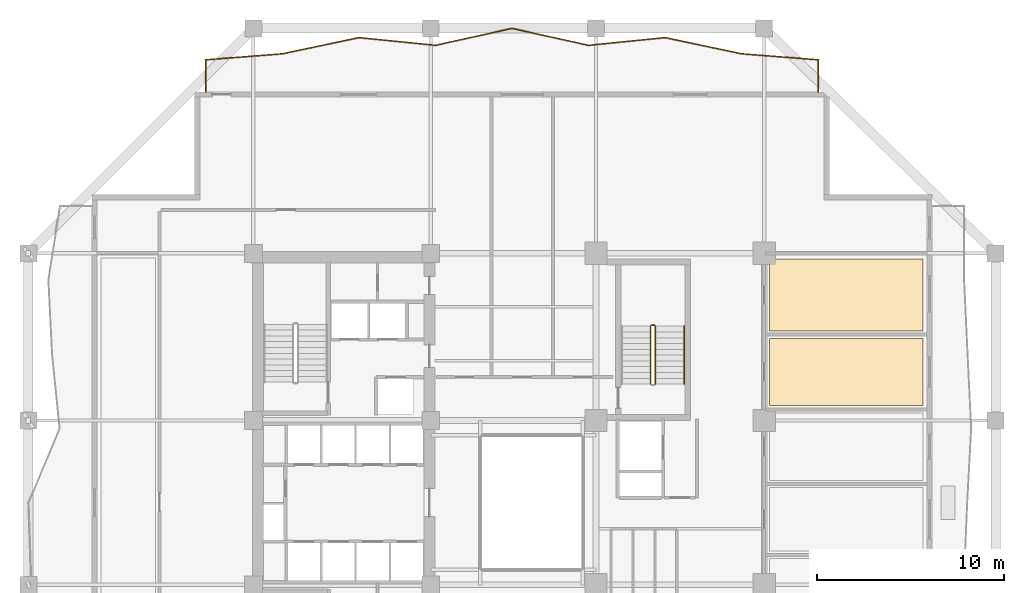
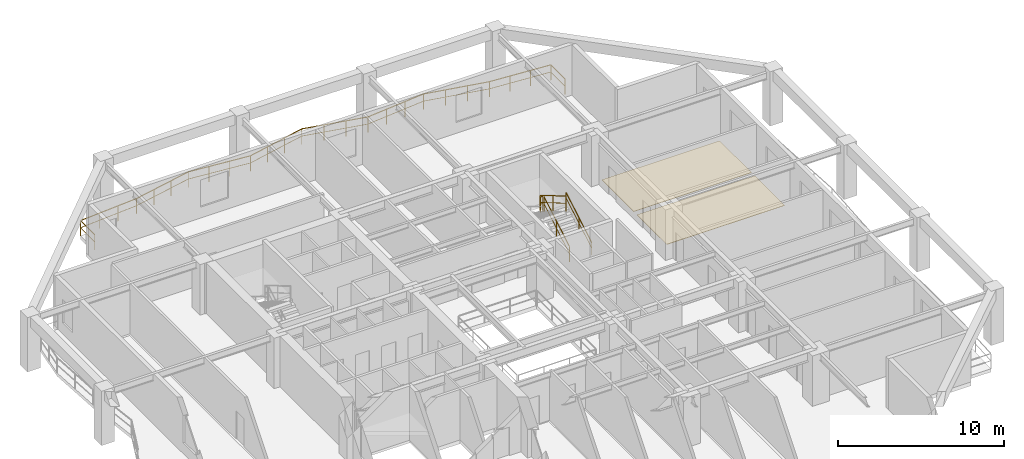
# One storey, part 12 of 13: 5 railings, 2 coverings.
"""IFC4 building model written with IfcOpenShell, lengths in metres."""

from ifc_helpers import new_model, si_unit, direction, frame, origin, origin_2d, place, context, subcontext, project, spatial, polyline, rectangle, outline, extrude, material, layer, layer_set, type_object, element, save


model = new_model("IFC4")

# Units and contexts
model_context = context("Model", 3, precision=1e-05, world=origin(), true_north=direction((0.0, 1.0)))
body_context = subcontext(model_context, "Body", "Model", "MODEL_VIEW")
ifc_project = project(units=[si_unit("LENGTHUNIT", "METRE"), si_unit("AREAUNIT", "SQUARE_METRE"), si_unit("VOLUMEUNIT", "CUBIC_METRE"), si_unit("PLANEANGLEUNIT", "RADIAN"), si_unit("MASSUNIT", "GRAM", prefix="KILO")], contexts=[model_context])

# Site, building, storey
site_placement = place(None, origin())
site = spatial("IfcSite", under=ifc_project, at=site_placement, CompositionType="ELEMENT")
building_placement = place(site_placement, origin())
building = spatial("IfcBuilding", under=site, at=building_placement, Name="Kundavana Baori Tower", CompositionType="ELEMENT")
storey_placement = place(building_placement, frame((0.0, 0.0, 70.0)))
storey = spatial("IfcBuildingStorey", under=building, at=storey_placement, Name="L16", CompositionType="ELEMENT", Elevation=70.0)

# Coverings
ifc_material_1 = material(Name="Honed Kota Stone and Terrazzo Flooring", Category="masonry")
ifc_layer = layer(ifc_material_1, 0.030029296875, Name="COV-INT-FLR")
ifc_layer_set = layer_set([ifc_layer], Name="Honed Kota Stone and Terrazzo Flooring")
covering_type = type_object("IfcCoveringType", Name="COV-INT-FLR", PredefinedType="FLOORING", material=ifc_layer_set)
covering_1_placement = place(storey_placement, origin())
element("IfcCovering", 1, at=covering_1_placement, inside=storey, type_object=covering_type, Name="L16 Room Finished Stone Flooring 12", PredefinedType="FLOORING", context=body_context, shape_type="SweptSolid", body=[
    extrude(outline(polyline([(43.10009765625, 33.800048828125), (51.320068359375, 33.800048828125), (51.320068359375, 37.39990234375), (43.10009765625, 37.39990234375), (43.10009765625, 33.800048828125)])), origin(), (0.0, 0.0, 1.0), 0.030029296875),
])
covering_2_placement = place(storey_placement, origin())
element("IfcCovering", 2, at=covering_2_placement, inside=storey, type_object=covering_type, Name="L16 Room Finished Stone Flooring 13", PredefinedType="FLOORING", context=body_context, shape_type="SweptSolid", body=[
    extrude(outline(polyline([(43.10009765625, 37.800048828125), (51.320068359375, 37.800048828125), (51.320068359375, 41.64990234375), (43.10009765625, 41.64990234375), (43.10009765625, 37.800048828125)])), origin(), (0.0, 0.0, 1.0), 0.030029296875),
])

# Railings
ifc_material_2 = material(Name="Architectural Patinated Bronze Metalwork")
railing_type_1 = type_object("IfcRailingType", Name="RL-BAL-1150", PredefinedType="BALUSTRADE", material=ifc_material_2)
railing_1_placement = place(storey_placement, frame((12.89990234375, 50.60009765625, 0.0)))
element("IfcRailing", 3, at=railing_1_placement, inside=storey, type_object=railing_type_1, Name="L16 Loggia Balcony Balustrade N", PredefinedType="BALUSTRADE", context=body_context, shape_type="SweptSolid", body=[
    extrude(rectangle(XDim=0.048095703125, YDim=0.048095703125, at=origin_2d()), frame((0.0, 0.0, 1.1259765625), z_axis=(0.0, 1.0, 0.0), x_axis=(-1.0, 0.0, 0.0)), (0.0, 0.0, 1.0), 1.719970703125),
    extrude(rectangle(XDim=0.03125, YDim=0.03125, at=origin_2d()), frame((0.0, 0.0, 0.597900390625), z_axis=(0.0, 1.0, 0.0), x_axis=(-1.0, 0.0, 0.0)), (0.0, 0.0, 1.0), 1.719970703125),
    extrude(rectangle(XDim=0.048095703125, YDim=0.048095703125, at=origin_2d()), frame((0.0, 1.719970703125, 1.1259765625), z_axis=(0.996948441127, 0.078062831969, 0.0), x_axis=(-0.078062831969, 0.996948441127, 0.0)), (0.0, 0.0, 1.0), 4.112548828125),
    extrude(rectangle(XDim=0.03125, YDim=0.03125, at=origin_2d()), frame((0.0, 1.719970703125, 0.597900390625), z_axis=(0.996948441127, 0.078062831969, 0.0), x_axis=(-0.078062831969, 0.996948441127, 0.0)), (0.0, 0.0, 1.0), 4.112548828125),
    extrude(rectangle(XDim=0.048095703125, YDim=0.048095703125, at=origin_2d()), frame((4.10009765625, 2.041015625, 1.1259765625), z_axis=(0.978368300168, 0.206870658205, 0.0), x_axis=(-0.206870658205, 0.978368300168, 0.0)), (0.0, 0.0, 1.0), 4.190673828125),
    extrude(rectangle(XDim=0.03125, YDim=0.03125, at=origin_2d()), frame((4.10009765625, 2.041015625, 0.597900390625), z_axis=(0.978368300168, 0.206870658205, 0.0), x_axis=(-0.206870658205, 0.978368300168, 0.0)), (0.0, 0.0, 1.0), 4.190673828125),
    extrude(rectangle(XDim=0.048095703125, YDim=0.048095703125, at=origin_2d()), frame((8.2001953125, 2.907958984375, 1.1259765625), z_axis=(0.994986022152, -0.100014077615, 0.0), x_axis=(0.100014077615, 0.994986022152, 0.0)), (0.0, 0.0, 1.0), 4.12060546875),
    extrude(rectangle(XDim=0.03125, YDim=0.03125, at=origin_2d()), frame((8.2001953125, 2.907958984375, 0.597900390625), z_axis=(0.994986022152, -0.100014077615, 0.0), x_axis=(0.100014077615, 0.994986022152, 0.0)), (0.0, 0.0, 1.0), 4.12060546875),
    extrude(rectangle(XDim=0.048095703125, YDim=0.048095703125, at=origin_2d()), frame((12.300048828125, 2.495849609375, 1.1259765625), z_axis=(0.976542836626, 0.215323218056, 0.0), x_axis=(-0.215323218056, 0.976542836626, 0.0)), (0.0, 0.0, 1.0), 4.198486328125),
    extrude(rectangle(XDim=0.03125, YDim=0.03125, at=origin_2d()), frame((12.300048828125, 2.495849609375, 0.597900390625), z_axis=(0.976542836626, 0.215323218056, 0.0), x_axis=(-0.215323218056, 0.976542836626, 0.0)), (0.0, 0.0, 1.0), 4.198486328125),
    extrude(rectangle(XDim=0.048095703125, YDim=0.048095703125, at=origin_2d()), frame((16.400146484375, 3.39990234375, 1.1259765625), z_axis=(0.976540140403, -0.215335445716, 0.0), x_axis=(0.215335445716, 0.976540140403, 0.0)), (0.0, 0.0, 1.0), 4.1982421875),
    extrude(rectangle(XDim=0.03125, YDim=0.03125, at=origin_2d()), frame((16.400146484375, 3.39990234375, 0.597900390625), z_axis=(0.976540140403, -0.215335445716, 0.0), x_axis=(0.215335445716, 0.976540140403, 0.0)), (0.0, 0.0, 1.0), 4.1982421875),
    extrude(rectangle(XDim=0.048095703125, YDim=0.048095703125, at=origin_2d()), frame((20.5, 2.495849609375, 1.1259765625), z_axis=(0.994986614767, 0.100008181834, 0.0), x_axis=(-0.100008181834, 0.994986614767, 0.0)), (0.0, 0.0, 1.0), 4.120849609375),
    extrude(rectangle(XDim=0.03125, YDim=0.03125, at=origin_2d()), frame((20.5, 2.495849609375, 0.597900390625), z_axis=(0.994986614767, 0.100008181834, 0.0), x_axis=(-0.100008181834, 0.994986614767, 0.0)), (0.0, 0.0, 1.0), 4.120849609375),
    extrude(rectangle(XDim=0.048095703125, YDim=0.048095703125, at=origin_2d()), frame((24.60009765625, 2.907958984375, 1.1259765625), z_axis=(0.978368300168, -0.206870658205, 0.0), x_axis=(0.206870658205, 0.978368300168, 0.0)), (0.0, 0.0, 1.0), 4.190673828125),
    extrude(rectangle(XDim=0.03125, YDim=0.03125, at=origin_2d()), frame((24.60009765625, 2.907958984375, 0.597900390625), z_axis=(0.978368300168, -0.206870658205, 0.0), x_axis=(0.206870658205, 0.978368300168, 0.0)), (0.0, 0.0, 1.0), 4.190673828125),
    extrude(rectangle(XDim=0.048095703125, YDim=0.048095703125, at=origin_2d()), frame((28.7001953125, 2.041015625, 1.1259765625), z_axis=(0.996948079346, -0.078067452173, 0.0), x_axis=(0.078067452173, 0.996948079346, 0.0)), (0.0, 0.0, 1.0), 4.1123046875),
    extrude(rectangle(XDim=0.03125, YDim=0.03125, at=origin_2d()), frame((28.7001953125, 2.041015625, 0.597900390625), z_axis=(0.996948079346, -0.078067452173, 0.0), x_axis=(0.078067452173, 0.996948079346, 0.0)), (0.0, 0.0, 1.0), 4.1123046875),
    extrude(rectangle(XDim=0.048095703125, YDim=0.048095703125, at=origin_2d()), frame((32.800048828125, 1.719970703125, 1.1259765625), z_axis=(0.0, -1.0, 0.0), x_axis=(1.0, 0.0, 0.0)), (0.0, 0.0, 1.0), 1.719970703125),
    extrude(rectangle(XDim=0.03125, YDim=0.03125, at=origin_2d()), frame((32.800048828125, 1.719970703125, 0.597900390625), z_axis=(0.0, -1.0, 0.0), x_axis=(1.0, 0.0, 0.0)), (0.0, 0.0, 1.0), 1.719970703125),
    extrude(rectangle(XDim=0.0419921875, YDim=0.0419921875, at=origin_2d()), origin(), (0.0, 0.0, 1.0), 1.101806640625),
    extrude(rectangle(XDim=0.0419921875, YDim=0.0419921875, at=origin_2d()), frame((0.0, 1.719970703125, 0.0)), (0.0, 0.0, 1.0), 1.101806640625),
    extrude(rectangle(XDim=0.0419921875, YDim=0.0419921875, at=origin_2d()), frame((1.36669921875, 1.826904296875, 0.0)), (0.0, 0.0, 1.0), 1.101806640625),
    extrude(rectangle(XDim=0.0419921875, YDim=0.0419921875, at=origin_2d()), frame((2.7333984375, 1.93408203125, 0.0)), (0.0, 0.0, 1.0), 1.101806640625),
    extrude(rectangle(XDim=0.0419921875, YDim=0.0419921875, at=origin_2d()), frame((4.10009765625, 2.041015625, 0.0)), (0.0, 0.0, 1.0), 1.101806640625),
    extrude(rectangle(XDim=0.0419921875, YDim=0.0419921875, at=origin_2d()), frame((5.466796875, 2.330078125, 0.0)), (0.0, 0.0, 1.0), 1.101806640625),
    extrude(rectangle(XDim=0.0419921875, YDim=0.0419921875, at=origin_2d()), frame((6.83349609375, 2.618896484375, 0.0)), (0.0, 0.0, 1.0), 1.101806640625),
    extrude(rectangle(XDim=0.0419921875, YDim=0.0419921875, at=origin_2d()), frame((8.2001953125, 2.907958984375, 0.0)), (0.0, 0.0, 1.0), 1.101806640625),
    extrude(rectangle(XDim=0.0419921875, YDim=0.0419921875, at=origin_2d()), frame((9.56689453125, 2.7705078125, 0.0)), (0.0, 0.0, 1.0), 1.101806640625),
    extrude(rectangle(XDim=0.0419921875, YDim=0.0419921875, at=origin_2d()), frame((10.933349609375, 2.63330078125, 0.0)), (0.0, 0.0, 1.0), 1.101806640625),
    extrude(rectangle(XDim=0.0419921875, YDim=0.0419921875, at=origin_2d()), frame((12.300048828125, 2.495849609375, 0.0)), (0.0, 0.0, 1.0), 1.101806640625),
    extrude(rectangle(XDim=0.0419921875, YDim=0.0419921875, at=origin_2d()), frame((13.666748046875, 2.797119140625, 0.0)), (0.0, 0.0, 1.0), 1.101806640625),
    extrude(rectangle(XDim=0.0419921875, YDim=0.0419921875, at=origin_2d()), frame((15.033447265625, 3.0986328125, 0.0)), (0.0, 0.0, 1.0), 1.101806640625),
    extrude(rectangle(XDim=0.0419921875, YDim=0.0419921875, at=origin_2d()), frame((16.400146484375, 3.39990234375, 0.0)), (0.0, 0.0, 1.0), 1.101806640625),
    extrude(rectangle(XDim=0.0419921875, YDim=0.0419921875, at=origin_2d()), frame((17.766845703125, 3.0986328125, 0.0)), (0.0, 0.0, 1.0), 1.101806640625),
    extrude(rectangle(XDim=0.0419921875, YDim=0.0419921875, at=origin_2d()), frame((19.13330078125, 2.797119140625, 0.0)), (0.0, 0.0, 1.0), 1.101806640625),
    extrude(rectangle(XDim=0.0419921875, YDim=0.0419921875, at=origin_2d()), frame((20.5, 2.495849609375, 0.0)), (0.0, 0.0, 1.0), 1.101806640625),
    extrude(rectangle(XDim=0.0419921875, YDim=0.0419921875, at=origin_2d()), frame((21.86669921875, 2.63330078125, 0.0)), (0.0, 0.0, 1.0), 1.101806640625),
    extrude(rectangle(XDim=0.0419921875, YDim=0.0419921875, at=origin_2d()), frame((23.2333984375, 2.7705078125, 0.0)), (0.0, 0.0, 1.0), 1.101806640625),
    extrude(rectangle(XDim=0.0419921875, YDim=0.0419921875, at=origin_2d()), frame((24.60009765625, 2.907958984375, 0.0)), (0.0, 0.0, 1.0), 1.101806640625),
    extrude(rectangle(XDim=0.0419921875, YDim=0.0419921875, at=origin_2d()), frame((25.966796875, 2.618896484375, 0.0)), (0.0, 0.0, 1.0), 1.101806640625),
    extrude(rectangle(XDim=0.0419921875, YDim=0.0419921875, at=origin_2d()), frame((27.33349609375, 2.330078125, 0.0)), (0.0, 0.0, 1.0), 1.101806640625),
    extrude(rectangle(XDim=0.0419921875, YDim=0.0419921875, at=origin_2d()), frame((28.7001953125, 2.041015625, 0.0)), (0.0, 0.0, 1.0), 1.101806640625),
    extrude(rectangle(XDim=0.0419921875, YDim=0.0419921875, at=origin_2d()), frame((30.06689453125, 1.93408203125, 0.0)), (0.0, 0.0, 1.0), 1.101806640625),
    extrude(rectangle(XDim=0.0419921875, YDim=0.0419921875, at=origin_2d()), frame((31.433349609375, 1.826904296875, 0.0)), (0.0, 0.0, 1.0), 1.101806640625),
    extrude(rectangle(XDim=0.0419921875, YDim=0.0419921875, at=origin_2d()), frame((32.800048828125, 1.719970703125, 0.0)), (0.0, 0.0, 1.0), 1.101806640625),
    extrude(rectangle(XDim=0.0419921875, YDim=0.0419921875, at=origin_2d()), frame((32.800048828125, 0.0, 0.0)), (0.0, 0.0, 1.0), 1.101806640625),
])
ifc_material_3 = material(Name="Architectural Patinated Bronze Metalwork")
railing_type_2 = type_object("IfcRailingType", Name="RL-GRD-1150", PredefinedType="GUARDRAIL", material=ifc_material_3)
railing_2_placement = place(storey_placement, frame((36.97998046875, 34.949951171875, 0.181884765625)))
element("IfcRailing", 4, at=railing_2_placement, inside=storey, type_object=railing_type_2, Name="L16 ST3 stair guard 1", PredefinedType="GUARDRAIL", context=body_context, shape_type="SweptSolid", body=[
    extrude(rectangle(XDim=0.048095703125, YDim=0.048095703125, at=origin_2d()), frame((0.0, 0.0, 1.1259765625), z_axis=(0.0, 0.862598821094, 0.505888598258), x_axis=(-1.0, 0.0, 0.0)), (0.0, 0.0, 1.0), 3.593994140625),
    extrude(rectangle(XDim=0.03125, YDim=0.03125, at=origin_2d()), frame((0.0, 0.0, 0.597900390625), z_axis=(0.0, 0.862598821094, 0.505888598258), x_axis=(-1.0, 0.0, 0.0)), (0.0, 0.0, 1.0), 3.593994140625),
    extrude(rectangle(XDim=0.0419921875, YDim=0.0419921875, at=origin_2d()), origin(), (0.0, 0.0, 1.0), 1.101806640625),
    extrude(rectangle(XDim=0.0419921875, YDim=0.0419921875, at=origin_2d()), frame((0.0, 1.550048828125, 0.9091796875)), (0.0, 0.0, 1.0), 1.101806640625),
    extrude(rectangle(XDim=0.0419921875, YDim=0.0419921875, at=origin_2d()), frame((0.0, 3.10009765625, 1.818115234375)), (0.0, 0.0, 1.0), 1.101806640625),
])
railing_3_placement = place(storey_placement, frame((36.929931640625, 38.10009765625, 2.0)))
element("IfcRailing", 5, at=railing_3_placement, inside=storey, type_object=railing_type_2, Name="L16 ST3 stair guard 2", PredefinedType="GUARDRAIL", context=body_context, shape_type="SweptSolid", body=[
    extrude(rectangle(XDim=0.048095703125, YDim=0.048095703125, at=origin_2d()), frame((0.0, 0.0, 1.1259765625), z_axis=(-1.0, 0.0, 0.0), x_axis=(0.0, -1.0, 0.0)), (0.0, 0.0, 1.0), 0.159912109375),
    extrude(rectangle(XDim=0.03125, YDim=0.03125, at=origin_2d()), frame((0.0, 0.0, 0.597900390625), z_axis=(-1.0, 0.0, 0.0), x_axis=(0.0, -1.0, 0.0)), (0.0, 0.0, 1.0), 0.159912109375),
    extrude(rectangle(XDim=0.0419921875, YDim=0.0419921875, at=origin_2d()), origin(), (0.0, 0.0, 1.0), 1.101806640625),
    extrude(rectangle(XDim=0.0419921875, YDim=0.0419921875, at=origin_2d()), frame((-0.159912109375, 0.0, 0.0)), (0.0, 0.0, 1.0), 1.101806640625),
])
railing_4_placement = place(storey_placement, frame((36.719970703125, 38.050048828125, 2.181884765625)))
element("IfcRailing", 6, at=railing_4_placement, inside=storey, type_object=railing_type_2, Name="L16 ST3 stair guard 3", PredefinedType="GUARDRAIL", context=body_context, shape_type="SweptSolid", body=[
    extrude(rectangle(XDim=0.048095703125, YDim=0.048095703125, at=origin_2d()), frame((0.0, 0.0, 1.1259765625), z_axis=(0.0, -0.862598821094, 0.505888598258), x_axis=(1.0, 0.0, 0.0)), (0.0, 0.0, 1.0), 3.593994140625),
    extrude(rectangle(XDim=0.03125, YDim=0.03125, at=origin_2d()), frame((0.0, 0.0, 0.597900390625), z_axis=(0.0, -0.862598821094, 0.505888598258), x_axis=(1.0, 0.0, 0.0)), (0.0, 0.0, 1.0), 3.593994140625),
    extrude(rectangle(XDim=0.0419921875, YDim=0.0419921875, at=origin_2d()), origin(), (0.0, 0.0, 1.0), 1.101806640625),
    extrude(rectangle(XDim=0.0419921875, YDim=0.0419921875, at=origin_2d()), frame((0.0, -1.550048828125, 0.9091796875)), (0.0, 0.0, 1.0), 1.101806640625),
    extrude(rectangle(XDim=0.0419921875, YDim=0.0419921875, at=origin_2d()), frame((0.0, -3.10009765625, 1.818115234375)), (0.0, 0.0, 1.0), 1.101806640625),
])
ifc_material_4 = material(Name="Architectural Patinated Bronze Metalwork")
railing_type_3 = type_object("IfcRailingType", Name="RL-HND-920", PredefinedType="HANDRAIL", material=ifc_material_4)
railing_5_placement = place(storey_placement, frame((38.530029296875, 34.949951171875, 0.181884765625)))
element("IfcRailing", 7, at=railing_5_placement, inside=storey, type_object=railing_type_3, Name="L16 ST3 stair handrail 1", PredefinedType="HANDRAIL", context=body_context, shape_type="SweptSolid", body=[
    extrude(rectangle(XDim=0.048095703125, YDim=0.048095703125, at=origin_2d()), frame((0.0, 0.0, 0.8759765625), z_axis=(0.0, 0.862598821094, 0.505888598258), x_axis=(-1.0, 0.0, 0.0)), (0.0, 0.0, 1.0), 3.593994140625),
    extrude(rectangle(XDim=0.03125, YDim=0.03125, at=origin_2d()), frame((0.0, 0.0, 0.468017578125), z_axis=(0.0, 0.862598821094, 0.505888598258), x_axis=(-1.0, 0.0, 0.0)), (0.0, 0.0, 1.0), 3.593994140625),
    extrude(rectangle(XDim=0.0419921875, YDim=0.0419921875, at=origin_2d()), origin(), (0.0, 0.0, 1.0), 0.851806640625),
    extrude(rectangle(XDim=0.0419921875, YDim=0.0419921875, at=origin_2d()), frame((0.0, 1.550048828125, 0.9091796875)), (0.0, 0.0, 1.0), 0.851806640625),
    extrude(rectangle(XDim=0.0419921875, YDim=0.0419921875, at=origin_2d()), frame((0.0, 3.10009765625, 1.818115234375)), (0.0, 0.0, 1.0), 0.851806640625),
])

save(model, "model.ifc")
